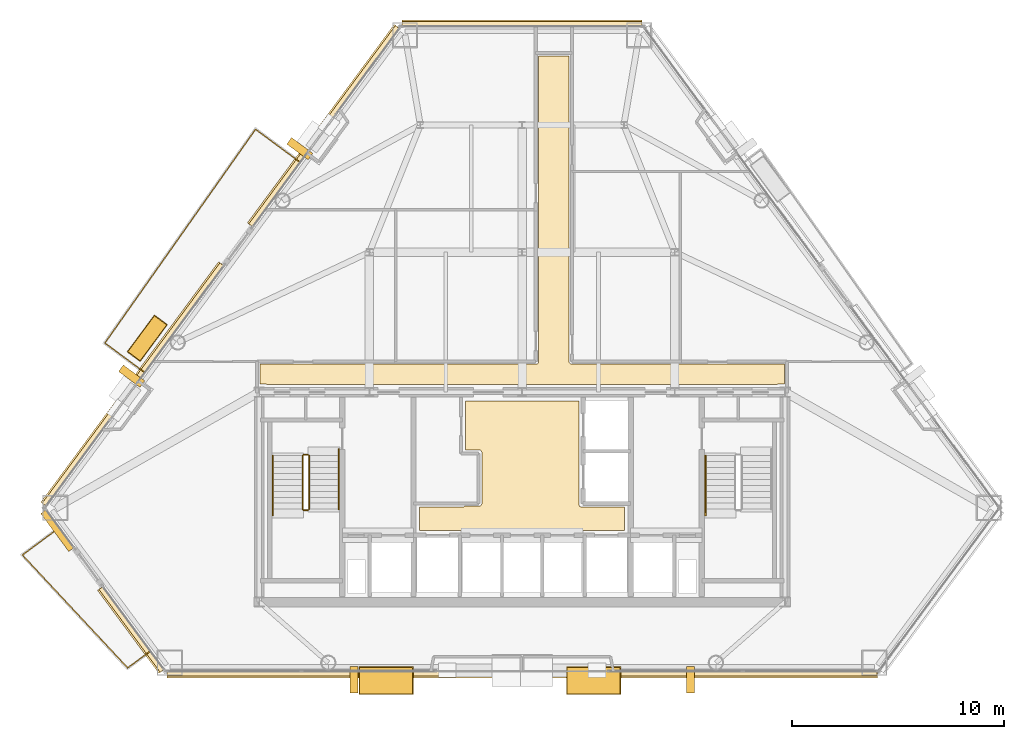
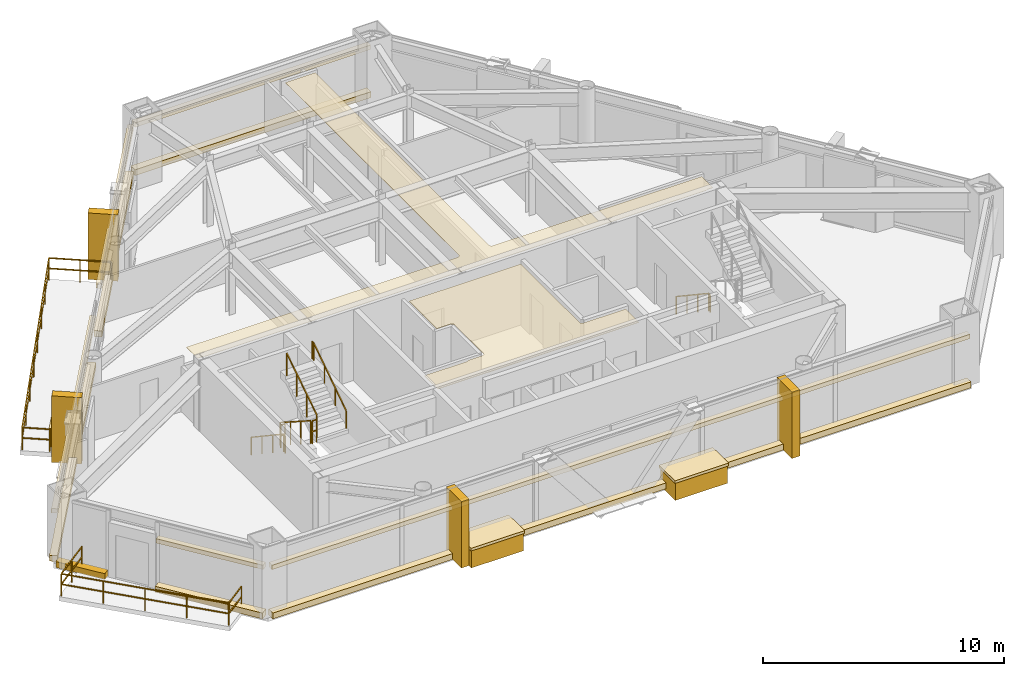
# One storey, part 10 of 11: 23 coverings, 9 railings.
"""IFC4 building model written with IfcOpenShell, lengths in metres."""

from ifc_helpers import new_model, si_unit, direction, frame, origin, origin_2d, place, context, subcontext, project, spatial, polyline, rectangle, outline, extrude, material, layer, layer_set, type_object, element, save


model = new_model("IFC4")

# Units and contexts
model_context = context("Model", 3, precision=1e-05, world=origin(), true_north=direction((0.0, 1.0)))
body_context = subcontext(model_context, "Body", "Model", "MODEL_VIEW")
ifc_project = project(units=[si_unit("LENGTHUNIT", "METRE"), si_unit("AREAUNIT", "SQUARE_METRE"), si_unit("VOLUMEUNIT", "CUBIC_METRE"), si_unit("PLANEANGLEUNIT", "RADIAN"), si_unit("MASSUNIT", "GRAM", prefix="KILO")], contexts=[model_context])

# Site, building, storey
site_placement = place(None, origin())
site = spatial("IfcSite", under=ifc_project, at=site_placement, CompositionType="ELEMENT")
building_placement = place(site_placement, origin())
building = spatial("IfcBuilding", under=site, at=building_placement, Name="Talgorran Terracotta Tower", CompositionType="ELEMENT")
storey_placement = place(building_placement, frame((0.0, 0.0, 114.0)))
storey = spatial("IfcBuildingStorey", under=building, at=storey_placement, Name="L29", CompositionType="ELEMENT", Elevation=114.0)

# Coverings
ifc_material_1 = material(Name="Kiln-Fired Terracotta Ochre Ceramic", Category="masonry")
ifc_layer_1 = layer(ifc_material_1, 0.179931640625, Name="COV_BAGUETTE_TERRACOTTA_SCREEN")
ifc_layer_set_1 = layer_set([ifc_layer_1], Name="Kiln-Fired Terracotta Ochre Ceramic")
covering_type_1 = type_object("IfcCoveringType", Name="COV_BAGUETTE_TERRACOTTA_SCREEN", PredefinedType="CLADDING", material=ifc_layer_set_1)
covering_1_placement = place(storey_placement, frame((-18.408203125, -15.384033203125, 2.41015625), z_axis=(0.0, 0.0, 1.0), x_axis=(0.594640382106, -0.803991800934, 0.0)))
element("IfcCovering", 1, at=covering_1_placement, inside=storey, type_object=covering_type_1, Name="L29 Terracotta Baguette Solar Screen Assembly F11", PredefinedType="CLADDING", context=body_context, shape_type="SweptSolid", body=[
    extrude(rectangle(XDim=4.851318359375, YDim=0.260009765625, at=origin_2d()), origin(), (0.0, 0.0, 1.0), 0.219970703125),
])
covering_2_placement = place(storey_placement, frame((0.0, -17.46337890625, 2.41015625), z_axis=(0.0, 0.0, 1.0), x_axis=(1.0, 0.0, 0.0)))
element("IfcCovering", 2, at=covering_2_placement, inside=storey, type_object=covering_type_1, Name="L29 Terracotta Baguette Solar Screen Assembly F1", PredefinedType="CLADDING", context=body_context, shape_type="SweptSolid", body=[
    extrude(rectangle(XDim=33.5, YDim=0.260009765625, at=origin_2d()), origin(), (0.0, 0.0, 1.0), 0.219970703125),
])
covering_3_placement = place(storey_placement, frame((0.0, 13.141845703125, 2.41015625), z_axis=(0.0, 0.0, 1.0), x_axis=(-1.0, 0.0, 0.0)))
element("IfcCovering", 3, at=covering_3_placement, inside=storey, type_object=covering_type_1, Name="L29 Terracotta Baguette Solar Screen Assembly F4", PredefinedType="CLADDING", context=body_context, shape_type="SweptSolid", body=[
    extrude(rectangle(XDim=11.308349609375, YDim=0.260009765625, at=origin_2d()), origin(), (0.0, 0.0, 1.0), 0.219970703125),
])
covering_4_placement = place(storey_placement, frame((-9.326904296875, 8.3388671875, 2.41015625), z_axis=(0.0, 0.0, 1.0), x_axis=(-0.594640382106, -0.803991800934, 0.0)))
element("IfcCovering", 4, at=covering_4_placement, inside=storey, type_object=covering_type_1, Name="L29 Terracotta Baguette Solar Screen Assembly F60", PredefinedType="CLADDING", context=body_context, shape_type="SweptSolid", body=[
    extrude(rectangle(XDim=11.626953125, YDim=0.260009765625, at=origin_2d()), origin(), (0.0, 0.0, 1.0), 0.219970703125),
])
covering_5_placement = place(storey_placement, frame((-18.34130859375, -3.84912109375, 2.41015625), z_axis=(0.0, 0.0, 1.0), x_axis=(-0.594640382106, -0.803991800934, 0.0)))
element("IfcCovering", 5, at=covering_5_placement, inside=storey, type_object=covering_type_1, Name="L29 Terracotta Baguette Solar Screen Assembly F61", PredefinedType="CLADDING", context=body_context, shape_type="SweptSolid", body=[
    extrude(rectangle(XDim=14.091796875, YDim=0.260009765625, at=origin_2d()), origin(), (0.0, 0.0, 1.0), 0.219970703125),
])
ifc_material_2 = material(Name="Mineral Fibre Acoustic Tile")
ifc_layer_2 = layer(ifc_material_2, 0.02490234375, Name="COV_CEIL_ACOUSTIC")
ifc_layer_set_2 = layer_set([ifc_layer_2], Name="Mineral Fibre Acoustic Tile")
covering_type_2 = type_object("IfcCoveringType", Name="COV_CEIL_ACOUSTIC", PredefinedType="CEILING", material=ifc_layer_set_2)
covering_6_placement = place(storey_placement, frame((0.0, 0.0, 3.22998046875)))
element("IfcCovering", 6, at=covering_6_placement, inside=storey, type_object=covering_type_2, Name="CEIL-L29-2", PredefinedType="CEILING", context=body_context, shape_type="SweptSolid", body=[
    extrude(outline(polyline([(-12.364990234375, -2.885009765625), (0.64990234375, -2.885009765625), (0.66162109375, -2.884521484375), (0.67333984375, -2.8828125), (0.6845703125, -2.8798828125), (0.69287109375, -2.87744140625), (0.7041015625, -2.87353515625), (0.714599609375, -2.868408203125), (0.724853515625, -2.8623046875), (0.734375, -2.85546875), (0.742919921875, -2.847412109375), (0.7509765625, -2.8388671875), (0.756591796875, -2.83203125), (0.763671875, -2.822509765625), (0.769775390625, -2.8125), (0.774658203125, -2.8017578125), (0.77880859375, -2.79052734375), (0.781494140625, -2.779296875), (0.783203125, -2.767578125), (0.783935546875, -2.755615234375), (0.784912109375, 11.6650390625), (2.215087890625, 11.6650390625), (2.215087890625, -2.75), (2.215576171875, -2.76171875), (2.21728515625, -2.773193359375), (2.22021484375, -2.78466796875), (2.22265625, -2.79296875), (2.2265625, -2.803955078125), (2.231689453125, -2.814697265625), (2.237548828125, -2.82470703125), (2.24462890625, -2.834228515625), (2.25244140625, -2.843017578125), (2.26123046875, -2.850830078125), (2.26806640625, -2.8564453125), (2.277587890625, -2.863525390625), (2.28759765625, -2.86962890625), (2.29833984375, -2.874755859375), (2.309326171875, -2.878662109375), (2.32080078125, -2.881591796875), (2.33251953125, -2.88330078125), (2.34423828125, -2.8837890625), (12.364990234375, -2.885009765625), (12.364990234375, -3.80908203125), (12.1201171875, -3.80908203125), (12.108154296875, -3.8095703125), (12.0966796875, -3.811279296875), (12.085205078125, -3.814208984375), (12.07421875, -3.818115234375), (12.0634765625, -3.8232421875), (12.05322265625, -3.8291015625), (12.0439453125, -3.836181640625), (12.03515625, -3.843994140625), (12.034423828125, -3.844970703125), (7.432861328125, -3.844970703125), (6.968017578125, -3.843017578125), (6.967529296875, -3.843017578125), (0.232666015625, -3.844970703125), (-0.23193359375, -3.843017578125), (-0.232421875, -3.843017578125), (-6.96728515625, -3.844970703125), (-7.431884765625, -3.843017578125), (-7.4326171875, -3.843017578125), (-12.034423828125, -3.844970703125), (-12.03515625, -3.843994140625), (-12.0439453125, -3.836181640625), (-12.05322265625, -3.8291015625), (-12.0634765625, -3.8232421875), (-12.07421875, -3.818115234375), (-12.085205078125, -3.814208984375), (-12.0966796875, -3.811279296875), (-12.108154296875, -3.8095703125), (-12.1201171875, -3.80908203125), (-12.364990234375, -3.80908203125), (-12.364990234375, -2.885009765625)])), origin(), (0.0, 0.0, 1.0), 0.02001953125),
])
ifc_material_3 = material(Name="Flush Moisture-Resistant Plaster")
ifc_layer_3 = layer(ifc_material_3, 0.01806640625, Name="COV_CEIL_PLASTER")
ifc_layer_set_3 = layer_set([ifc_layer_3], Name="Flush Moisture-Resistant Plaster")
covering_type_3 = type_object("IfcCoveringType", Name="COV_CEIL_PLASTER", PredefinedType="CEILING", material=ifc_layer_set_3)
covering_7_placement = place(storey_placement, frame((0.0, 0.0, 3.22998046875)))
element("IfcCovering", 7, at=covering_7_placement, inside=storey, type_object=covering_type_3, Name="CEIL-L29-1", PredefinedType="CEILING", context=body_context, shape_type="SweptSolid", body=[
    extrude(outline(polyline([(-2.70263671875, -9.570068359375), (-2.02001953125, -9.570068359375), (-2.00830078125, -9.5693359375), (-1.99658203125, -9.567626953125), (-1.985107421875, -9.564697265625), (-1.97412109375, -9.560791015625), (-1.96337890625, -9.555908203125), (-1.953369140625, -9.5498046875), (-1.94384765625, -9.542724609375), (-1.93505859375, -9.534912109375), (-1.92724609375, -9.526123046875), (-1.920166015625, -9.5166015625), (-1.914306640625, -9.506591796875), (-1.9091796875, -9.495849609375), (-1.9052734375, -9.48486328125), (-1.90234375, -9.473388671875), (-1.900634765625, -9.4619140625), (-1.89990234375, -9.449951171875), (-1.89990234375, -7.050048828125), (-1.900634765625, -7.0380859375), (-1.90234375, -7.026611328125), (-1.9052734375, -7.01513671875), (-1.9091796875, -7.004150390625), (-1.914306640625, -6.993408203125), (-1.920166015625, -6.9833984375), (-1.92724609375, -6.973876953125), (-1.93505859375, -6.965087890625), (-1.94384765625, -6.957275390625), (-1.953369140625, -6.9501953125), (-1.96337890625, -6.944091796875), (-1.97412109375, -6.939208984375), (-1.985107421875, -6.935302734375), (-1.99658203125, -6.932373046875), (-2.00830078125, -6.9306640625), (-2.02001953125, -6.929931640625), (-2.679931640625, -6.929931640625), (-2.679931640625, -4.6201171875), (2.679931640625, -4.6201171875), (2.679931640625, -9.5), (2.6806640625, -9.51171875), (2.682373046875, -9.5234375), (2.685302734375, -9.534912109375), (2.689208984375, -9.5458984375), (2.694091796875, -9.556640625), (2.7001953125, -9.566650390625), (2.707275390625, -9.576171875), (2.715087890625, -9.5849609375), (2.723876953125, -9.5927734375), (2.7333984375, -9.599853515625), (2.743408203125, -9.605712890625), (2.754150390625, -9.61083984375), (2.76513671875, -9.61474609375), (2.776611328125, -9.61767578125), (2.7880859375, -9.619384765625), (2.800048828125, -9.6201171875), (4.830078125, -9.6201171875), (4.830078125, -10.72998046875), (-4.830078125, -10.72998046875), (-4.830078125, -9.6201171875), (-2.800048828125, -9.6201171875), (-2.7880859375, -9.619384765625), (-2.776611328125, -9.61767578125), (-2.76513671875, -9.61474609375), (-2.754150390625, -9.61083984375), (-2.743408203125, -9.605712890625), (-2.7333984375, -9.599853515625), (-2.723876953125, -9.5927734375), (-2.715087890625, -9.5849609375), (-2.707275390625, -9.576171875), (-2.70263671875, -9.570068359375)])), origin(), (0.0, 0.0, 1.0), 0.02001953125),
])
ifc_material_4 = material(Name="Honed Limestone and Terracotta Planter", Category="masonry")
ifc_layer_4 = layer(ifc_material_4, 0.1201171875, Name="COV_PLANTER_BOX")
ifc_layer_set_4 = layer_set([ifc_layer_4], Name="Honed Limestone and Terracotta Planter")
covering_type_4 = type_object("IfcCoveringType", Name="COV_PLANTER_BOX", PredefinedType="CLADDING", material=ifc_layer_set_4)
for number, where, z_axis, x_axis, name in (
    (8, (3.376220703125, -17.80322265625, -0.179931640625), (0.0, 0.0, 1.0), (1.0, 0.0, 0.0), "L29 Staggered South Facade Planter Box 1"),
    (9, (-6.41455078125, -17.80322265625, -0.179931640625), (0.0, 0.0, 1.0), (1.0, 0.0, 0.0), "L29 Staggered South Facade Planter Box 2"),
):
    element("IfcCovering", number, at=place(storey_placement, frame(where, z_axis=z_axis, x_axis=x_axis)), inside=storey, type_object=covering_type_4, Name=name, PredefinedType="CLADDING", context=body_context, shape_type="SweptSolid", body=[
        extrude(rectangle(XDim=2.5, YDim=1.25, at=origin_2d()), origin(), (0.0, 0.0, 1.0), 0.919921875),
    ])
covering_8_placement = place(storey_placement, frame((-17.679443359375, -1.659423828125, -0.02001953125), z_axis=(0.0, 0.0, 1.0), x_axis=(-0.594640382106, -0.803991800934, 0.0)))
element("IfcCovering", 10, at=covering_8_placement, inside=storey, type_object=covering_type_4, Name="L29 Staggered Balcony Planter Box BAL-NW", PredefinedType="CLADDING", context=body_context, shape_type="SweptSolid", body=[
    extrude(rectangle(XDim=2.10009765625, YDim=0.719970703125, at=origin_2d()), origin(), (0.0, 0.0, 1.0), 0.860107421875),
])
ifc_material_5 = material(Name="Kiln-Fired Terracotta Planter Rim", Category="masonry")
ifc_layer_5 = layer(ifc_material_5, 0.10009765625, Name="COV_PLANTER_RIM")
ifc_layer_set_5 = layer_set([ifc_layer_5], Name="Kiln-Fired Terracotta Planter Rim")
covering_type_5 = type_object("IfcCoveringType", Name="COV_PLANTER_RIM", PredefinedType="CLADDING", material=ifc_layer_set_5)
for number, where, z_axis, x_axis, name in (
    (11, (3.376220703125, -17.80322265625, 0.7099609375), (0.0, 0.0, 1.0), (1.0, 0.0, 0.0), "L29 South Planter Terracotta Rim 1"),
    (12, (-6.41455078125, -17.80322265625, 0.7099609375), (0.0, 0.0, 1.0), (1.0, 0.0, 0.0), "L29 South Planter Terracotta Rim 2"),
):
    element("IfcCovering", number, at=place(storey_placement, frame(where, z_axis=z_axis, x_axis=x_axis)), inside=storey, type_object=covering_type_5, Name=name, PredefinedType="CLADDING", context=body_context, shape_type="SweptSolid", body=[
        extrude(rectangle(XDim=2.580078125, YDim=1.320068359375, at=origin_2d()), origin(), (0.0, 0.0, 1.0), 0.139892578125),
    ])
covering_9_placement = place(storey_placement, frame((-17.679443359375, -1.659423828125, 0.800048828125), z_axis=(0.0, 0.0, 1.0), x_axis=(-0.594640382106, -0.803991800934, 0.0)))
element("IfcCovering", 13, at=covering_9_placement, inside=storey, type_object=covering_type_5, Name="L29 Balcony Planter Terracotta Rim BAL-NW", PredefinedType="CLADDING", context=body_context, shape_type="SweptSolid", body=[
    extrude(rectangle(XDim=2.179931640625, YDim=0.780029296875, at=origin_2d()), origin(), (0.0, 0.0, 1.0), 0.1201171875),
])
ifc_material_6 = material(Name="Honed Limestone Cladding", Category="masonry")
ifc_layer_6 = layer(ifc_material_6, 0.094970703125, Name="COV_PORTAL_LIME")
ifc_layer_set_6 = layer_set([ifc_layer_6], Name="Honed Limestone Cladding")
covering_type_6 = type_object("IfcCoveringType", Name="COV_PORTAL_LIME", PredefinedType="CLADDING", material=ifc_layer_set_6)
for number, where, z_axis, x_axis, name in (
    (14, (-7.933837890625, -17.76318359375, -0.050048828125), (0.0, 0.0, 1.0), (1.0, 0.0, 0.0), "L29 White Striped Portal Fin F1-1"),
    (15, (-10.483154296875, 7.280029296875, -0.050048828125), (0.0, 0.0, 1.0), (-0.594640382106, -0.803991800934, 0.0), "L29 White Striped Portal Fin F5-1"),
):
    element("IfcCovering", number, at=place(storey_placement, frame(where, z_axis=z_axis, x_axis=x_axis)), inside=storey, type_object=covering_type_6, Name=name, PredefinedType="CLADDING", context=body_context, shape_type="SweptSolid", body=[
        extrude(rectangle(XDim=0.3798828125, YDim=1.25, at=origin_2d()), origin(), (0.0, 0.0, 1.0), 3.3701171875),
    ])
ifc_material_7 = material(Name="Kiln-Fired Terracotta Cladding", Category="masonry")
ifc_layer_7 = layer(ifc_material_7, 0.090087890625, Name="COV_PORTAL_TERRA")
ifc_layer_set_7 = layer_set([ifc_layer_7], Name="Kiln-Fired Terracotta Cladding")
covering_type_7 = type_object("IfcCoveringType", Name="COV_PORTAL_TERRA", PredefinedType="CLADDING", material=ifc_layer_set_7)
covering_10_placement = place(storey_placement, frame((-21.90673828125, -10.720947265625, -0.0400390625), z_axis=(0.0, 0.0, 1.0), x_axis=(0.594654414319, -0.803981422379, 0.0)))
element("IfcCovering", 16, at=covering_10_placement, inside=storey, type_object=covering_type_7, Name="L29 Striped Postmodern Portal Cladding Band F10", PredefinedType="CLADDING", context=body_context, shape_type="SweptSolid", body=[
    extrude(rectangle(XDim=2.227294921875, YDim=0.340087890625, at=origin_2d()), origin(), (0.0, 0.0, 1.0), 0.300048828125),
])
covering_11_placement = place(storey_placement, frame((-18.4404296875, -15.407958984375, -0.0400390625), z_axis=(0.0, 0.0, 1.0), x_axis=(0.594640382106, -0.803991800934, 0.0)))
element("IfcCovering", 17, at=covering_11_placement, inside=storey, type_object=covering_type_7, Name="L29 Striped Postmodern Portal Cladding Band F11", PredefinedType="CLADDING", context=body_context, shape_type="SweptSolid", body=[
    extrude(rectangle(XDim=4.871337890625, YDim=0.340087890625, at=origin_2d()), origin(), (0.0, 0.0, 1.0), 0.300048828125),
])
covering_12_placement = place(storey_placement, frame((0.0, -17.50341796875, -0.0400390625), z_axis=(0.0, 0.0, 1.0), x_axis=(1.0, 0.0, 0.0)))
element("IfcCovering", 18, at=covering_12_placement, inside=storey, type_object=covering_type_7, Name="L29 Striped Postmodern Portal Cladding Band F1", PredefinedType="CLADDING", context=body_context, shape_type="SweptSolid", body=[
    extrude(rectangle(XDim=33.52001953125, YDim=0.340087890625, at=origin_2d()), origin(), (0.0, 0.0, 1.0), 0.300048828125),
])
covering_13_placement = place(storey_placement, frame((0.0, 13.181884765625, -0.0400390625), z_axis=(0.0, 0.0, 1.0), x_axis=(-1.0, 0.0, 0.0)))
element("IfcCovering", 19, at=covering_13_placement, inside=storey, type_object=covering_type_7, Name="L29 Striped Postmodern Portal Cladding Band F4", PredefinedType="CLADDING", context=body_context, shape_type="SweptSolid", body=[
    extrude(rectangle(XDim=11.328369140625, YDim=0.340087890625, at=origin_2d()), origin(), (0.0, 0.0, 1.0), 0.300048828125),
])
covering_14_placement = place(storey_placement, frame((-9.359130859375, 8.362548828125, -0.0400390625), z_axis=(0.0, 0.0, 1.0), x_axis=(-0.594640382106, -0.803991800934, 0.0)))
element("IfcCovering", 20, at=covering_14_placement, inside=storey, type_object=covering_type_7, Name="L29 Striped Postmodern Portal Cladding Band F60", PredefinedType="CLADDING", context=body_context, shape_type="SweptSolid", body=[
    extrude(rectangle(XDim=11.64697265625, YDim=0.340087890625, at=origin_2d()), origin(), (0.0, 0.0, 1.0), 0.300048828125),
])
covering_15_placement = place(storey_placement, frame((-18.373291015625, -3.825439453125, -0.0400390625), z_axis=(0.0, 0.0, 1.0), x_axis=(-0.594640382106, -0.803991800934, 0.0)))
element("IfcCovering", 21, at=covering_15_placement, inside=storey, type_object=covering_type_7, Name="L29 Striped Postmodern Portal Cladding Band F61", PredefinedType="CLADDING", context=body_context, shape_type="SweptSolid", body=[
    extrude(rectangle(XDim=14.11181640625, YDim=0.340087890625, at=origin_2d()), origin(), (0.0, 0.0, 1.0), 0.300048828125),
])
for number, where, z_axis, x_axis, name in (
    (22, (7.933837890625, -17.76318359375, -0.050048828125), (0.0, 0.0, 1.0), (1.0, 0.0, 0.0), "L29 Terracotta Striped Portal Fin F1-2"),
    (23, (-18.4169921875, -3.447021484375, -0.050048828125), (0.0, 0.0, 1.0), (-0.594640382106, -0.803991800934, 0.0), "L29 Terracotta Striped Portal Fin F5-2"),
):
    element("IfcCovering", number, at=place(storey_placement, frame(where, z_axis=z_axis, x_axis=x_axis)), inside=storey, type_object=covering_type_7, Name=name, PredefinedType="CLADDING", context=body_context, shape_type="SweptSolid", body=[
        extrude(rectangle(XDim=0.3798828125, YDim=1.25, at=origin_2d()), origin(), (0.0, 0.0, 1.0), 3.3701171875),
    ])

# Railings
ifc_material_8 = material(Name="Laminated Glass and Stainless Steel 316", Category="steel")
railing_type_1 = type_object("IfcRailingType", Name="RL_BALCONY_1150", PredefinedType="BALUSTRADE", material=ifc_material_8)
railing_1_placement = place(storey_placement, frame((-10.478515625, 6.6474609375, 0.0)))
element("IfcRailing", 24, at=railing_1_placement, inside=storey, type_object=railing_type_1, Name="RL-L29-BAL-BAL-NW", PredefinedType="BALUSTRADE", context=body_context, shape_type="SweptSolid", body=[
    extrude(rectangle(XDim=0.048095703125, YDim=0.048095703125, at=origin_2d()), frame((0.0, 0.0, 1.1259765625), z_axis=(-0.803996920127, 0.594633460567, 0.0), x_axis=(-0.594633460567, -0.803996920127, 0.0)), (0.0, 0.0, 1.0), 2.60498046875),
    extrude(rectangle(XDim=0.048095703125, YDim=0.048095703125, at=origin_2d()), frame((0.0, 0.0, 0.597900390625), z_axis=(-0.803996920127, 0.594633460567, 0.0), x_axis=(-0.594633460567, -0.803996920127, 0.0)), (0.0, 0.0, 1.0), 2.60498046875),
    extrude(rectangle(XDim=0.048095703125, YDim=0.048095703125, at=origin_2d()), frame((-2.094482421875, 1.549072265625, 1.1259765625), z_axis=(-0.576047326756, -0.817416342715, 0.0), x_axis=(0.817416342715, -0.576047326756, 0.0)), (0.0, 0.0, 1.0), 12.333984375),
    extrude(rectangle(XDim=0.048095703125, YDim=0.048095703125, at=origin_2d()), frame((-2.094482421875, 1.549072265625, 0.597900390625), z_axis=(-0.576047326756, -0.817416342715, 0.0), x_axis=(0.817416342715, -0.576047326756, 0.0)), (0.0, 0.0, 1.0), 12.333984375),
    extrude(rectangle(XDim=0.048095703125, YDim=0.048095703125, at=origin_2d()), frame((-9.199462890625, -8.532958984375, 1.1259765625), z_axis=(0.804018806886, -0.594603866599, 0.0), x_axis=(0.594603866599, 0.804018806886, 0.0)), (0.0, 0.0, 1.0), 2.322265625),
    extrude(rectangle(XDim=0.048095703125, YDim=0.048095703125, at=origin_2d()), frame((-9.199462890625, -8.532958984375, 0.597900390625), z_axis=(0.804018806886, -0.594603866599, 0.0), x_axis=(0.594603866599, 0.804018806886, 0.0)), (0.0, 0.0, 1.0), 2.322265625),
    extrude(rectangle(XDim=0.0419921875, YDim=0.0419921875, at=origin_2d()), origin(), (0.0, 0.0, 1.0), 1.101806640625),
    extrude(rectangle(XDim=0.0419921875, YDim=0.0419921875, at=origin_2d()), frame((-1.04736328125, 0.7744140625, 0.0)), (0.0, 0.0, 1.0), 1.101806640625),
    extrude(rectangle(XDim=0.0419921875, YDim=0.0419921875, at=origin_2d()), frame((-2.094482421875, 1.549072265625, 0.0)), (0.0, 0.0, 1.0), 1.101806640625),
    extrude(rectangle(XDim=0.0419921875, YDim=0.0419921875, at=origin_2d()), frame((-3.109375, 0.10888671875, 0.0)), (0.0, 0.0, 1.0), 1.101806640625),
    extrude(rectangle(XDim=0.0419921875, YDim=0.0419921875, at=origin_2d()), frame((-4.12451171875, -1.33154296875, 0.0)), (0.0, 0.0, 1.0), 1.101806640625),
    extrude(rectangle(XDim=0.0419921875, YDim=0.0419921875, at=origin_2d()), frame((-5.139404296875, -2.771728515625, 0.0)), (0.0, 0.0, 1.0), 1.101806640625),
    extrude(rectangle(XDim=0.0419921875, YDim=0.0419921875, at=origin_2d()), frame((-6.154541015625, -4.212158203125, 0.0)), (0.0, 0.0, 1.0), 1.101806640625),
    extrude(rectangle(XDim=0.0419921875, YDim=0.0419921875, at=origin_2d()), frame((-7.16943359375, -5.65234375, 0.0)), (0.0, 0.0, 1.0), 1.101806640625),
    extrude(rectangle(XDim=0.0419921875, YDim=0.0419921875, at=origin_2d()), frame((-8.1845703125, -7.0927734375, 0.0)), (0.0, 0.0, 1.0), 1.101806640625),
    extrude(rectangle(XDim=0.0419921875, YDim=0.0419921875, at=origin_2d()), frame((-9.199462890625, -8.532958984375, 0.0)), (0.0, 0.0, 1.0), 1.101806640625),
    extrude(rectangle(XDim=0.0419921875, YDim=0.0419921875, at=origin_2d()), frame((-8.265869140625, -9.223388671875, 0.0)), (0.0, 0.0, 1.0), 1.101806640625),
    extrude(rectangle(XDim=0.0419921875, YDim=0.0419921875, at=origin_2d()), frame((-7.332275390625, -9.913818359375, 0.0)), (0.0, 0.0, 1.0), 1.101806640625),
])
railing_2_placement = place(storey_placement, frame((-21.84326171875, -10.605224609375, 0.0)))
element("IfcRailing", 25, at=railing_2_placement, inside=storey, type_object=railing_type_1, Name="RL-L29-BAL-BAL-SW", PredefinedType="BALUSTRADE", context=body_context, shape_type="SweptSolid", body=[
    extrude(rectangle(XDim=0.048095703125, YDim=0.048095703125, at=origin_2d()), frame((0.0, 0.0, 1.1259765625), z_axis=(-0.803977719151, -0.594659421105, 0.0), x_axis=(0.594659421105, -0.803977719151, 0.0)), (0.0, 0.0, 1.0), 2.1484375),
    extrude(rectangle(XDim=0.048095703125, YDim=0.048095703125, at=origin_2d()), frame((0.0, 0.0, 0.597900390625), z_axis=(-0.803977719151, -0.594659421105, 0.0), x_axis=(0.594659421105, -0.803977719151, 0.0)), (0.0, 0.0, 1.0), 2.1484375),
    extrude(rectangle(XDim=0.048095703125, YDim=0.048095703125, at=origin_2d()), frame((-1.727294921875, -1.277587890625, 1.1259765625), z_axis=(0.682082850898, -0.731274903515, 0.0), x_axis=(0.731274903515, 0.682082850898, 0.0)), (0.0, 0.0, 1.0), 7.28076171875),
    extrude(rectangle(XDim=0.048095703125, YDim=0.048095703125, at=origin_2d()), frame((-1.727294921875, -1.277587890625, 0.597900390625), z_axis=(0.682082850898, -0.731274903515, 0.0), x_axis=(0.731274903515, 0.682082850898, 0.0)), (0.0, 0.0, 1.0), 7.28076171875),
    extrude(rectangle(XDim=0.048095703125, YDim=0.048095703125, at=origin_2d()), frame((3.23876953125, -6.601806640625, 1.1259765625), z_axis=(0.803949625033, 0.59469740239, 0.0), x_axis=(-0.59469740239, 0.803949625033, 0.0)), (0.0, 0.0, 1.0), 1.322021484375),
    extrude(rectangle(XDim=0.048095703125, YDim=0.048095703125, at=origin_2d()), frame((3.23876953125, -6.601806640625, 0.597900390625), z_axis=(0.803949625033, 0.59469740239, 0.0), x_axis=(-0.59469740239, 0.803949625033, 0.0)), (0.0, 0.0, 1.0), 1.322021484375),
    extrude(rectangle(XDim=0.0419921875, YDim=0.0419921875, at=origin_2d()), origin(), (0.0, 0.0, 1.0), 1.101806640625),
    extrude(rectangle(XDim=0.0419921875, YDim=0.0419921875, at=origin_2d()), frame((-0.86376953125, -0.638671875, 0.0)), (0.0, 0.0, 1.0), 1.101806640625),
    extrude(rectangle(XDim=0.0419921875, YDim=0.0419921875, at=origin_2d()), frame((-1.727294921875, -1.277587890625, 0.0)), (0.0, 0.0, 1.0), 1.101806640625),
    extrude(rectangle(XDim=0.0419921875, YDim=0.0419921875, at=origin_2d()), frame((-0.48583984375, -2.608642578125, 0.0)), (0.0, 0.0, 1.0), 1.101806640625),
    extrude(rectangle(XDim=0.0419921875, YDim=0.0419921875, at=origin_2d()), frame((0.755859375, -3.939697265625, 0.0)), (0.0, 0.0, 1.0), 1.101806640625),
    extrude(rectangle(XDim=0.0419921875, YDim=0.0419921875, at=origin_2d()), frame((1.997314453125, -5.270751953125, 0.0)), (0.0, 0.0, 1.0), 1.101806640625),
    extrude(rectangle(XDim=0.0419921875, YDim=0.0419921875, at=origin_2d()), frame((3.23876953125, -6.601806640625, 0.0)), (0.0, 0.0, 1.0), 1.101806640625),
    extrude(rectangle(XDim=0.0419921875, YDim=0.0419921875, at=origin_2d()), frame((4.301513671875, -5.815673828125, 0.0)), (0.0, 0.0, 1.0), 1.101806640625),
])
ifc_material_9 = material(Name="Steel S355 (300PLUS)", Category="steel")
railing_type_2 = type_object("IfcRailingType", Name="RL_HANDRAIL_920", PredefinedType="HANDRAIL", material=ifc_material_9)
railing_3_placement = place(storey_placement, frame((-11.75, -7.199951171875, 0.179931640625)))
element("IfcRailing", 26, at=railing_3_placement, inside=storey, type_object=railing_type_2, Name="L29 ST-01 stair handrail 1", PredefinedType="HANDRAIL", context=body_context, shape_type="SweptSolid", body=[
    extrude(rectangle(XDim=0.048095703125, YDim=0.048095703125, at=origin_2d()), frame((0.0, 0.0, 0.89599609375), z_axis=(0.0, -0.832038719335, 0.554717558338), x_axis=(1.0, 0.0, 0.0)), (0.0, 0.0, 1.0), 3.244873046875),
    extrude(rectangle(XDim=0.048095703125, YDim=0.048095703125, at=origin_2d()), frame((0.0, -2.699951171875, 2.69580078125), z_axis=(0.0, -1.0, 0.0), x_axis=(1.0, 0.0, 0.0)), (0.0, 0.0, 1.0), 0.1201171875),
    extrude(rectangle(XDim=0.0419921875, YDim=0.0419921875, at=origin_2d()), origin(), (0.0, 0.0, 1.0), 0.871826171875),
    extrude(rectangle(XDim=0.0419921875, YDim=0.0419921875, at=origin_2d()), frame((0.0, -0.89990234375, 0.60009765625)), (0.0, 0.0, 1.0), 0.871826171875),
    extrude(rectangle(XDim=0.0419921875, YDim=0.0419921875, at=origin_2d()), frame((0.0, -1.800048828125, 1.199951171875)), (0.0, 0.0, 1.0), 0.871826171875),
    extrude(rectangle(XDim=0.0419921875, YDim=0.0419921875, at=origin_2d()), frame((0.0, -2.699951171875, 1.800048828125)), (0.0, 0.0, 1.0), 0.871826171875),
    extrude(rectangle(XDim=0.0419921875, YDim=0.0419921875, at=origin_2d()), frame((0.0, -2.820068359375, 1.800048828125)), (0.0, 0.0, 1.0), 0.871826171875),
])
railing_4_placement = place(storey_placement, frame((-8.64990234375, -9.719970703125, 1.97998046875)))
element("IfcRailing", 27, at=railing_4_placement, inside=storey, type_object=railing_type_2, Name="L29 ST-01 stair handrail 2", PredefinedType="HANDRAIL", context=body_context, shape_type="SweptSolid", body=[
    extrude(rectangle(XDim=0.048095703125, YDim=0.048095703125, at=origin_2d()), frame((0.0, 0.0, 0.89599609375), z_axis=(0.0, 0.832038719335, 0.554717558338), x_axis=(-1.0, 0.0, 0.0)), (0.0, 0.0, 1.0), 3.244873046875),
    extrude(rectangle(XDim=0.048095703125, YDim=0.048095703125, at=origin_2d()), frame((0.0, 2.699951171875, 2.69580078125), z_axis=(0.0, 1.0, 0.0), x_axis=(-1.0, 0.0, 0.0)), (0.0, 0.0, 1.0), 0.1201171875),
    extrude(rectangle(XDim=0.0419921875, YDim=0.0419921875, at=origin_2d()), origin(), (0.0, 0.0, 1.0), 0.871826171875),
    extrude(rectangle(XDim=0.0419921875, YDim=0.0419921875, at=origin_2d()), frame((0.0, 0.89990234375, 0.60009765625)), (0.0, 0.0, 1.0), 0.871826171875),
    extrude(rectangle(XDim=0.0419921875, YDim=0.0419921875, at=origin_2d()), frame((0.0, 1.800048828125, 1.199951171875)), (0.0, 0.0, 1.0), 0.871826171875),
    extrude(rectangle(XDim=0.0419921875, YDim=0.0419921875, at=origin_2d()), frame((0.0, 2.699951171875, 1.800048828125)), (0.0, 0.0, 1.0), 0.871826171875),
    extrude(rectangle(XDim=0.0419921875, YDim=0.0419921875, at=origin_2d()), frame((0.0, 2.820068359375, 1.800048828125)), (0.0, 0.0, 1.0), 0.871826171875),
])
railing_5_placement = place(storey_placement, frame((8.64990234375, -7.199951171875, 0.179931640625)))
element("IfcRailing", 28, at=railing_5_placement, inside=storey, type_object=railing_type_2, Name="L29 ST-02 stair handrail 1", PredefinedType="HANDRAIL", context=body_context, shape_type="SweptSolid", body=[
    extrude(rectangle(XDim=0.048095703125, YDim=0.048095703125, at=origin_2d()), frame((0.0, 0.0, 0.89599609375), z_axis=(0.0, -0.832038719335, 0.554717558338), x_axis=(1.0, 0.0, 0.0)), (0.0, 0.0, 1.0), 3.244873046875),
    extrude(rectangle(XDim=0.048095703125, YDim=0.048095703125, at=origin_2d()), frame((0.0, -2.699951171875, 2.69580078125), z_axis=(0.0, -1.0, 0.0), x_axis=(1.0, 0.0, 0.0)), (0.0, 0.0, 1.0), 0.1201171875),
    extrude(rectangle(XDim=0.0419921875, YDim=0.0419921875, at=origin_2d()), origin(), (0.0, 0.0, 1.0), 0.871826171875),
    extrude(rectangle(XDim=0.0419921875, YDim=0.0419921875, at=origin_2d()), frame((0.0, -0.89990234375, 0.60009765625)), (0.0, 0.0, 1.0), 0.871826171875),
    extrude(rectangle(XDim=0.0419921875, YDim=0.0419921875, at=origin_2d()), frame((0.0, -1.800048828125, 1.199951171875)), (0.0, 0.0, 1.0), 0.871826171875),
    extrude(rectangle(XDim=0.0419921875, YDim=0.0419921875, at=origin_2d()), frame((0.0, -2.699951171875, 1.800048828125)), (0.0, 0.0, 1.0), 0.871826171875),
    extrude(rectangle(XDim=0.0419921875, YDim=0.0419921875, at=origin_2d()), frame((0.0, -2.820068359375, 1.800048828125)), (0.0, 0.0, 1.0), 0.871826171875),
])
railing_type_3 = type_object("IfcRailingType", Name="RL_STAIR_GUARD", PredefinedType="GUARDRAIL", material=ifc_material_9)
railing_6_placement = place(storey_placement, frame((-10.35009765625, -7.199951171875, 0.179931640625)))
element("IfcRailing", 29, at=railing_6_placement, inside=storey, type_object=railing_type_3, Name="L29 ST-01 stair guard 1", PredefinedType="GUARDRAIL", context=body_context, shape_type="SweptSolid", body=[
    extrude(rectangle(XDim=0.048095703125, YDim=0.048095703125, at=origin_2d()), frame((0.0, 0.0, 1.15576171875), z_axis=(0.0, -0.841162588446, 0.540782303519), x_axis=(1.0, 0.0, 0.0)), (0.0, 0.0, 1.0), 2.995849609375),
    extrude(rectangle(XDim=0.0419921875, YDim=0.0419921875, at=origin_2d()), origin(), (0.0, 0.0, 1.0), 1.1318359375),
    extrude(rectangle(XDim=0.0419921875, YDim=0.0419921875, at=origin_2d()), frame((0.0, -0.840087890625, 0.5400390625)), (0.0, 0.0, 1.0), 1.1318359375),
    extrude(rectangle(XDim=0.0419921875, YDim=0.0419921875, at=origin_2d()), frame((0.0, -1.679931640625, 1.080078125)), (0.0, 0.0, 1.0), 1.1318359375),
    extrude(rectangle(XDim=0.0419921875, YDim=0.0419921875, at=origin_2d()), frame((0.0, -2.52001953125, 1.6201171875)), (0.0, 0.0, 1.0), 1.1318359375),
])
railing_7_placement = place(storey_placement, frame((-10.300048828125, -9.77001953125, 1.800048828125)))
element("IfcRailing", 30, at=railing_7_placement, inside=storey, type_object=railing_type_3, Name="L29 ST-01 stair guard 2", PredefinedType="GUARDRAIL", context=body_context, shape_type="SweptSolid", body=[
    extrude(rectangle(XDim=0.048095703125, YDim=0.048095703125, at=origin_2d()), frame((0.0, 0.0, 1.15576171875), z_axis=(1.0, 0.0, 0.0), x_axis=(0.0, 1.0, 0.0)), (0.0, 0.0, 1.0), 0.199951171875),
    extrude(rectangle(XDim=0.048095703125, YDim=0.048095703125, at=origin_2d()), frame((0.0, 0.0, 0.613525390625), z_axis=(1.0, 0.0, 0.0), x_axis=(0.0, 1.0, 0.0)), (0.0, 0.0, 1.0), 0.199951171875),
    extrude(rectangle(XDim=0.0419921875, YDim=0.0419921875, at=origin_2d()), origin(), (0.0, 0.0, 1.0), 1.1318359375),
    extrude(rectangle(XDim=0.0419921875, YDim=0.0419921875, at=origin_2d()), frame((0.199951171875, 0.0, 0.0)), (0.0, 0.0, 1.0), 1.1318359375),
])
railing_8_placement = place(storey_placement, frame((-10.050048828125, -9.719970703125, 1.97998046875)))
element("IfcRailing", 31, at=railing_8_placement, inside=storey, type_object=railing_type_3, Name="L29 ST-01 stair guard 3", PredefinedType="GUARDRAIL", context=body_context, shape_type="SweptSolid", body=[
    extrude(rectangle(XDim=0.048095703125, YDim=0.048095703125, at=origin_2d()), frame((0.0, 0.0, 1.15576171875), z_axis=(0.0, 0.841162588446, 0.540782303519), x_axis=(-1.0, 0.0, 0.0)), (0.0, 0.0, 1.0), 2.995849609375),
    extrude(rectangle(XDim=0.0419921875, YDim=0.0419921875, at=origin_2d()), origin(), (0.0, 0.0, 1.0), 1.1318359375),
    extrude(rectangle(XDim=0.0419921875, YDim=0.0419921875, at=origin_2d()), frame((0.0, 0.840087890625, 0.5400390625)), (0.0, 0.0, 1.0), 1.1318359375),
    extrude(rectangle(XDim=0.0419921875, YDim=0.0419921875, at=origin_2d()), frame((0.0, 1.679931640625, 1.080078125)), (0.0, 0.0, 1.0), 1.1318359375),
    extrude(rectangle(XDim=0.0419921875, YDim=0.0419921875, at=origin_2d()), frame((0.0, 2.52001953125, 1.6201171875)), (0.0, 0.0, 1.0), 1.1318359375),
])
railing_9_placement = place(storey_placement, frame((-10.300048828125, -7.14990234375, 0.0)))
element("IfcRailing", 32, at=railing_9_placement, inside=storey, type_object=railing_type_3, Name="L29 ST-01 stair guard 4", PredefinedType="GUARDRAIL", context=body_context, shape_type="SweptSolid", body=[
    extrude(rectangle(XDim=0.048095703125, YDim=0.048095703125, at=origin_2d()), frame((0.0, 0.0, 1.15576171875), z_axis=(1.0, 0.0, 0.0), x_axis=(0.0, 1.0, 0.0)), (0.0, 0.0, 1.0), 0.199951171875),
    extrude(rectangle(XDim=0.048095703125, YDim=0.048095703125, at=origin_2d()), frame((0.0, 0.0, 0.613525390625), z_axis=(1.0, 0.0, 0.0), x_axis=(0.0, 1.0, 0.0)), (0.0, 0.0, 1.0), 0.199951171875),
    extrude(rectangle(XDim=0.0419921875, YDim=0.0419921875, at=origin_2d()), origin(), (0.0, 0.0, 1.0), 1.1318359375),
    extrude(rectangle(XDim=0.0419921875, YDim=0.0419921875, at=origin_2d()), frame((0.199951171875, 0.0, 0.0)), (0.0, 0.0, 1.0), 1.1318359375),
])

save(model, "model.ifc")
